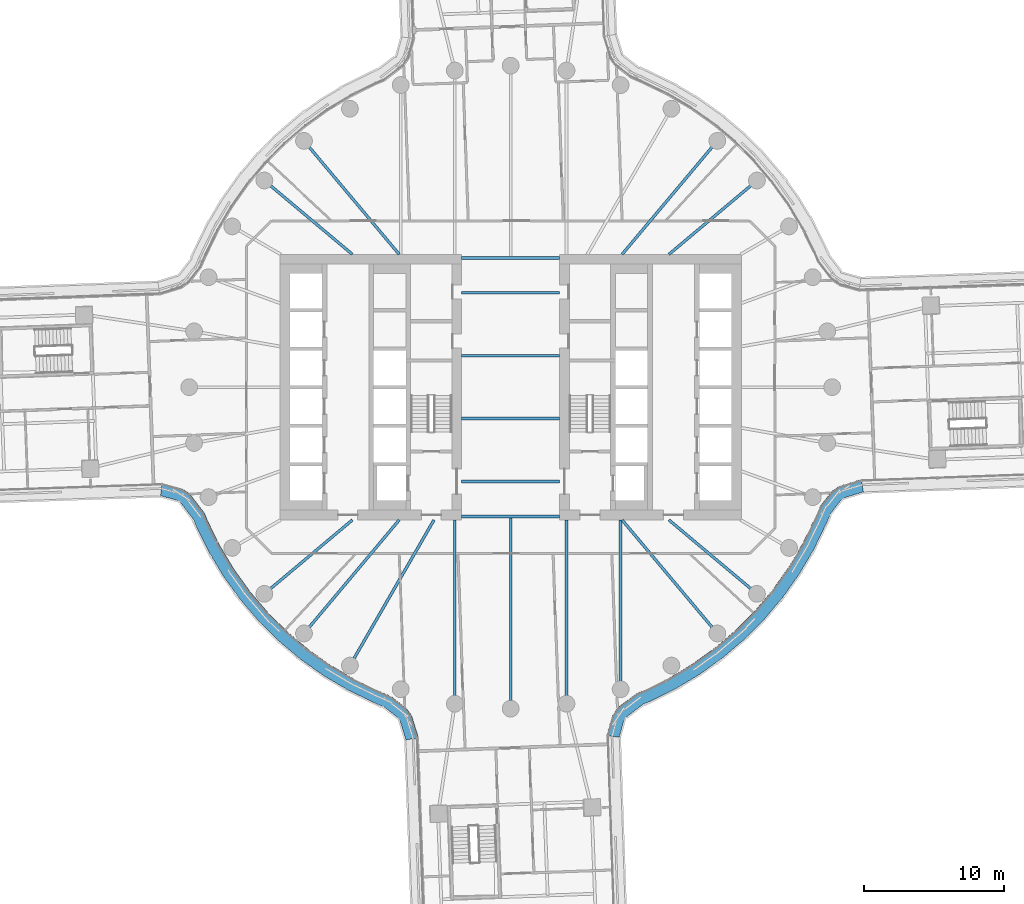
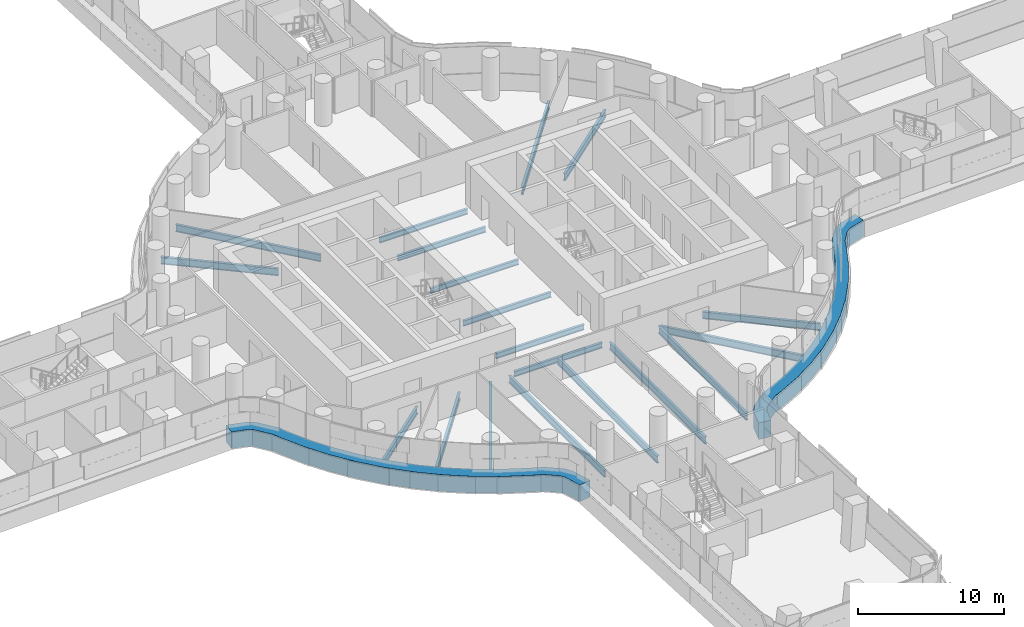
# One storey, part 8 of 31: 19 beams, 2 members, 2 elements without a shape of their own.
"""IFC4 building model written with IfcOpenShell, lengths in metres."""

from ifc_helpers import new_model, si_unit, direction, frame, origin, origin_2d, place, context, subcontext, project, spatial, polyline, i_section, outline, extrude, material, layer, layer_set, material_profile, profile_set, type_object, element, aggregate, save


model = new_model("IFC4")

# Units and contexts
model_context = context("Model", 3, precision=1e-05, world=origin(), true_north=direction((0.0, 1.0)))
body_context = subcontext(model_context, "Body", "Model", "MODEL_VIEW")
ifc_project = project(units=[si_unit("LENGTHUNIT", "METRE"), si_unit("AREAUNIT", "SQUARE_METRE"), si_unit("VOLUMEUNIT", "CUBIC_METRE"), si_unit("PLANEANGLEUNIT", "RADIAN"), si_unit("MASSUNIT", "GRAM", prefix="KILO")], contexts=[model_context])

# Site, building, storey
site_placement = place(None, origin())
site = spatial("IfcSite", under=ifc_project, at=site_placement, CompositionType="ELEMENT")
building_placement = place(site_placement, origin())
building = spatial("IfcBuilding", under=site, at=building_placement, Name="Tamarind Cross Interchange Tower", CompositionType="ELEMENT")
storey_placement = place(building_placement, frame((0.0, 0.0, 41.5)))
storey = spatial("IfcBuildingStorey", under=building, at=storey_placement, Name="L08", CompositionType="ELEMENT", Elevation=41.5)

# Beams
ifc_material_1 = material(Name="Steel Q355B", Category="steel")
ifc_material_profile_1 = material_profile(ifc_material_1, i_section(OverallWidth=0.198974609375, OverallDepth=0.446044921875, WebThickness=0.008056640625, FlangeThickness=0.011962890625, FilletRadius=0.012939453125, at=origin_2d()), Name="HN 446x199x8x12")
ifc_profile_set_1 = profile_set([ifc_material_profile_1], Name="Steel Q355B")
beam_type_1 = type_object("IfcBeamType", Name="Composite beam HN 446x199x8x12 Q355B", PredefinedType="BEAM", material=ifc_profile_set_1)
for number, where, z_axis, x_axis, name in (
    (1, (-3.5, -2.25, -0.363037109375), (1.0, 0.0, 0.0), (0.0, 1.0, 0.0), "Beam G-2.25"),
    (2, (-3.5, -6.75, -0.363037109375), (1.0, 0.0, 0.0), (0.0, 1.0, 0.0), "Beam G-6.75"),
    (3, (-3.5, -9.25, -0.363037109375), (1.0, 0.0, 0.0), (0.0, 1.0, 0.0), "Beam G-9.25"),
    (4, (-3.5, 2.25, -0.363037109375), (1.0, 0.0, 0.0), (0.0, 1.0, 0.0), "Beam G2.25"),
    (5, (-3.5, 6.75, -0.363037109375), (1.0, 0.0, 0.0), (0.0, 1.0, 0.0), "Beam G6.75"),
    (6, (-3.5, 9.25, -0.363037109375), (1.0, 0.0, 0.0), (0.0, 1.0, 0.0), "Beam G9.25"),
):
    element("IfcBeam", number, at=place(storey_placement, frame(where, z_axis=z_axis, x_axis=x_axis)), inside=storey, type_object=beam_type_1, Name=name, PredefinedType="BEAM", context=body_context, shape_type="SweptSolid", body=[
        extrude(i_section(OverallWidth=0.198974609375, OverallDepth=0.446044921875, WebThickness=0.008056640625, FlangeThickness=0.011962890625, FilletRadius=0.012939453125, at=origin_2d()), origin(), (0.0, 0.0, 1.0), 7.0),
    ])
ifc_material_profile_2 = material_profile(ifc_material_1, i_section(OverallWidth=0.198974609375, OverallDepth=0.595947265625, WebThickness=0.010009765625, FlangeThickness=0.014892578125, FilletRadius=0.012939453125, at=origin_2d()), Name="HN 596x199x10x15")
ifc_profile_set_2 = profile_set([ifc_material_profile_2], Name="Steel Q355B")
beam_type_2 = type_object("IfcBeamType", Name="Composite beam HN 596x199x10x15 Q355B", PredefinedType="BEAM", material=ifc_profile_set_2)
beam_1_placement = place(storey_placement, frame((17.619140625, 14.7841796875, -0.43798828125), z_axis=(-0.766040580814, -0.642792212574, 0.0), x_axis=(0.642792212574, -0.766040580814, 0.0)))
element("IfcBeam", 7, at=beam_1_placement, inside=storey, type_object=beam_type_2, Name="Beam HH04", PredefinedType="BEAM", context=body_context, shape_type="SweptSolid", body=[
    extrude(i_section(OverallWidth=0.198974609375, OverallDepth=0.595947265625, WebThickness=0.010009765625, FlangeThickness=0.014892578125, FilletRadius=0.012939453125, at=origin_2d()), origin(), (0.0, 0.0, 1.0), 8.220703125),
])
for number, where, z_axis, x_axis, name in (
    (8, (14.7841796875, 17.619140625, -0.43798828125), (-0.642786293979, -0.766045547127, 0.0), (0.766045547127, -0.642786293979, 0.0), "Beam HH05"),
    (9, (-14.7841796875, 17.619140625, -0.43798828125), (0.642786293979, -0.766045547127, 0.0), (0.766045547127, 0.642786293979, 0.0), "Beam HH13"),
):
    element("IfcBeam", number, at=place(storey_placement, frame(where, z_axis=z_axis, x_axis=x_axis)), inside=storey, type_object=beam_type_2, Name=name, PredefinedType="BEAM", context=body_context, shape_type="SweptSolid", body=[
        extrude(i_section(OverallWidth=0.198974609375, OverallDepth=0.595947265625, WebThickness=0.010009765625, FlangeThickness=0.014892578125, FilletRadius=0.012939453125, at=origin_2d()), origin(), (0.0, 0.0, 1.0), 10.598876953125),
    ])
for number, where, z_axis, x_axis, name in (
    (10, (-17.619140625, 14.7841796875, -0.43798828125), (0.766040580814, -0.642792212574, 0.0), (0.642792212574, 0.766040580814, 0.0), "Beam HH14"),
    (11, (-17.619140625, -14.7841796875, -0.43798828125), (0.766040580814, 0.642792212574, 0.0), (-0.642792212574, 0.766040580814, 0.0), "Beam HH22"),
):
    element("IfcBeam", number, at=place(storey_placement, frame(where, z_axis=z_axis, x_axis=x_axis)), inside=storey, type_object=beam_type_2, Name=name, PredefinedType="BEAM", context=body_context, shape_type="SweptSolid", body=[
        extrude(i_section(OverallWidth=0.198974609375, OverallDepth=0.595947265625, WebThickness=0.010009765625, FlangeThickness=0.014892578125, FilletRadius=0.012939453125, at=origin_2d()), origin(), (0.0, 0.0, 1.0), 8.220703125),
    ])
beam_2_placement = place(storey_placement, frame((-14.7841796875, -17.619140625, -0.43798828125), z_axis=(0.642786293979, 0.766045547127, 0.0), x_axis=(-0.766045547127, 0.642786293979, 0.0)))
element("IfcBeam", 12, at=beam_2_placement, inside=storey, type_object=beam_type_2, Name="Beam HH23", PredefinedType="BEAM", context=body_context, shape_type="SweptSolid", body=[
    extrude(i_section(OverallWidth=0.198974609375, OverallDepth=0.595947265625, WebThickness=0.010009765625, FlangeThickness=0.014892578125, FilletRadius=0.012939453125, at=origin_2d()), origin(), (0.0, 0.0, 1.0), 10.598876953125),
])
beam_3_placement = place(storey_placement, frame((-11.5, -19.918701171875, -0.43798828125), z_axis=(0.499993565836, 0.866029118519, 0.0), x_axis=(-0.866029118519, 0.499993565836, 0.0)))
element("IfcBeam", 13, at=beam_3_placement, inside=storey, type_object=beam_type_2, Name="Beam HH24", PredefinedType="BEAM", context=body_context, shape_type="SweptSolid", body=[
    extrude(i_section(OverallWidth=0.198974609375, OverallDepth=0.595947265625, WebThickness=0.010009765625, FlangeThickness=0.014892578125, FilletRadius=0.012939453125, at=origin_2d()), origin(), (0.0, 0.0, 1.0), 12.030517578125),
])
beam_4_placement = place(storey_placement, frame((-3.993896484375, -22.650634765625, -0.43798828125), z_axis=(0.0, 1.0, 0.0), x_axis=(-1.0, 0.0, 0.0)))
element("IfcBeam", 14, at=beam_4_placement, inside=storey, type_object=beam_type_2, Name="Beam HH26", PredefinedType="BEAM", context=body_context, shape_type="SweptSolid", body=[
    extrude(i_section(OverallWidth=0.198974609375, OverallDepth=0.595947265625, WebThickness=0.010009765625, FlangeThickness=0.014892578125, FilletRadius=0.012939453125, at=origin_2d()), origin(), (0.0, 0.0, 1.0), 13.150634765625),
])
beam_5_placement = place(storey_placement, frame((0.0, -23.0, -0.43798828125), z_axis=(0.0, 1.0, 0.0), x_axis=(-1.0, 0.0, 0.0)))
element("IfcBeam", 15, at=beam_5_placement, inside=storey, type_object=beam_type_2, Name="Beam HH27", PredefinedType="BEAM", context=body_context, shape_type="SweptSolid", body=[
    extrude(i_section(OverallWidth=0.198974609375, OverallDepth=0.595947265625, WebThickness=0.010009765625, FlangeThickness=0.014892578125, FilletRadius=0.012939453125, at=origin_2d()), origin(), (0.0, 0.0, 1.0), 13.75),
])
beam_6_placement = place(storey_placement, frame((3.993896484375, -22.650634765625, -0.43798828125), z_axis=(0.0, 1.0, 0.0), x_axis=(-1.0, 0.0, 0.0)))
element("IfcBeam", 16, at=beam_6_placement, inside=storey, type_object=beam_type_2, Name="Beam HH28", PredefinedType="BEAM", context=body_context, shape_type="SweptSolid", body=[
    extrude(i_section(OverallWidth=0.198974609375, OverallDepth=0.595947265625, WebThickness=0.010009765625, FlangeThickness=0.014892578125, FilletRadius=0.012939453125, at=origin_2d()), origin(), (0.0, 0.0, 1.0), 13.150634765625),
])
beam_7_placement = place(storey_placement, frame((7.866455078125, -21.613037109375, -0.43798828125), z_axis=(0.0, 1.0, 0.0), x_axis=(-1.0, 0.0, 0.0)))
element("IfcBeam", 17, at=beam_7_placement, inside=storey, type_object=beam_type_2, Name="Beam HH29", PredefinedType="BEAM", context=body_context, shape_type="SweptSolid", body=[
    extrude(i_section(OverallWidth=0.198974609375, OverallDepth=0.595947265625, WebThickness=0.010009765625, FlangeThickness=0.014892578125, FilletRadius=0.012939453125, at=origin_2d()), origin(), (0.0, 0.0, 1.0), 12.113037109375),
])
beam_8_placement = place(storey_placement, frame((14.7841796875, -17.619140625, -0.43798828125), z_axis=(-0.642786293979, 0.766045547127, 0.0), x_axis=(-0.766045547127, -0.642786293979, 0.0)))
element("IfcBeam", 18, at=beam_8_placement, inside=storey, type_object=beam_type_2, Name="Beam HH31", PredefinedType="BEAM", context=body_context, shape_type="SweptSolid", body=[
    extrude(i_section(OverallWidth=0.198974609375, OverallDepth=0.595947265625, WebThickness=0.010009765625, FlangeThickness=0.014892578125, FilletRadius=0.012939453125, at=origin_2d()), origin(), (0.0, 0.0, 1.0), 10.598876953125),
])
beam_9_placement = place(storey_placement, frame((17.619140625, -14.7841796875, -0.43798828125), z_axis=(-0.766040580814, 0.642792212574, 0.0), x_axis=(-0.642792212574, -0.766040580814, 0.0)))
element("IfcBeam", 19, at=beam_9_placement, inside=storey, type_object=beam_type_2, Name="Beam HH32", PredefinedType="BEAM", context=body_context, shape_type="SweptSolid", body=[
    extrude(i_section(OverallWidth=0.198974609375, OverallDepth=0.595947265625, WebThickness=0.010009765625, FlangeThickness=0.014892578125, FilletRadius=0.012939453125, at=origin_2d()), origin(), (0.0, 0.0, 1.0), 8.220703125),
])

# Curtain wall, member
ifc_material_2 = material(Name="Aluminium 6063-T6", Category="aluminium")
ifc_layer = layer(ifc_material_2, 0.159912109375)
ifc_layer_set = layer_set([ifc_layer], Name="Aluminium 6063-T6")
curtain_wall_type = type_object("IfcCurtainWallType", Name="Office curtain wall, 9.0 m bays", PredefinedType="NOTDEFINED", material=ifc_layer_set)
curtain_wall_1_placement = place(storey_placement, origin())
curtain_wall_1 = element("IfcCurtainWall", 20, at=curtain_wall_1_placement, inside=storey, type_object=curtain_wall_type, Name="CWS-L08-02", PredefinedType="NOTDEFINED")
ifc_material_3 = material(Name="Aluminium and insulated spandrel panel", Category="aluminium")
member_type = type_object("IfcMemberType", Name="Floor-edge blade transom", PredefinedType="USERDEFINED", material=ifc_material_3)
member_1_placement = place(storey_placement, origin())
member_1 = element("IfcMember", 21, at=member_1_placement, type_object=member_type, Name="CWT-L08-02", ObjectType="TRANSOM", PredefinedType="USERDEFINED", context=body_context, shape_type="SweptSolid", body=[
    extrude(outline(polyline([(-24.9375, -6.85888671875), (-23.540283203125, -7.2490234375), (-22.962890625, -7.628173828125), (-21.8994140625, -9.02001953125), (-21.659423828125, -9.6103515625), (-20.791015625, -11.367431640625), (-19.78125, -13.045654296875), (-18.636474609375, -14.634521484375), (-17.3642578125, -16.12353515625), (-15.973388671875, -17.50244140625), (-14.4736328125, -18.76171875), (-12.874755859375, -19.892822265625), (-11.188232421875, -20.88818359375), (-9.41845703125, -21.743896484375), (-8.532958984375, -22.1357421875), (-7.459228515625, -22.973388671875), (-7.081298828125, -23.50537109375), (-6.591796875, -25.08544921875), (-7.48681640625, -25.23779296875), (-7.8984375, -23.9091796875), (-8.11669921875, -23.601806640625), (-8.998779296875, -22.91357421875), (-9.79638671875, -22.560791015625), (-11.613525390625, -21.68212890625), (-13.3642578125, -20.64892578125), (-15.023681640625, -19.474853515625), (-16.580810546875, -18.167724609375), (-18.0244140625, -16.736572265625), (-19.344970703125, -15.19091796875), (-20.533203125, -13.54150390625), (-21.581298828125, -11.799560546875), (-22.480712890625, -9.979736328125), (-22.687744140625, -9.470703125), (-23.5849609375, -8.29638671875), (-23.917236328125, -8.078125), (-25.045654296875, -7.762939453125), (-24.9375, -6.85888671875)])), origin(), (0.0, 0.0, 1.0), 1.39990234375),
])
aggregate(curtain_wall_1, [member_1])

curtain_wall_2_placement = place(storey_placement, origin())
curtain_wall_2 = element("IfcCurtainWall", 22, at=curtain_wall_2_placement, inside=storey, type_object=curtain_wall_type, Name="CWS-L08-06", PredefinedType="NOTDEFINED")
member_2_placement = place(storey_placement, origin())
member_2 = element("IfcMember", 23, at=member_2_placement, type_object=member_type, Name="CWT-L08-06", ObjectType="TRANSOM", PredefinedType="USERDEFINED", context=body_context, shape_type="SweptSolid", body=[
    extrude(outline(polyline([(6.85888671875, -24.9375), (7.2490234375, -23.540283203125), (7.628173828125, -22.962890625), (9.02001953125, -21.8994140625), (9.6103515625, -21.659423828125), (11.367431640625, -20.791015625), (13.045654296875, -19.78125), (14.634521484375, -18.636474609375), (16.12353515625, -17.3642578125), (17.50244140625, -15.973388671875), (18.76171875, -14.4736328125), (19.892822265625, -12.874755859375), (20.88818359375, -11.188232421875), (21.743896484375, -9.41845703125), (22.1357421875, -8.532958984375), (22.973388671875, -7.459228515625), (23.50537109375, -7.081298828125), (25.08544921875, -6.591796875), (25.23779296875, -7.48681640625), (23.9091796875, -7.8984375), (23.601806640625, -8.11669921875), (22.91357421875, -8.998779296875), (22.560791015625, -9.79638671875), (21.68212890625, -11.613525390625), (20.64892578125, -13.3642578125), (19.474853515625, -15.023681640625), (18.167724609375, -16.580810546875), (16.736572265625, -18.0244140625), (15.19091796875, -19.344970703125), (13.54150390625, -20.533203125), (11.799560546875, -21.581298828125), (9.979736328125, -22.480712890625), (9.470703125, -22.687744140625), (8.29638671875, -23.5849609375), (8.078125, -23.917236328125), (7.762939453125, -25.045654296875), (6.85888671875, -24.9375)])), origin(), (0.0, 0.0, 1.0), 1.39990234375),
])
aggregate(curtain_wall_2, [member_2])

save(model, "model.ifc")
